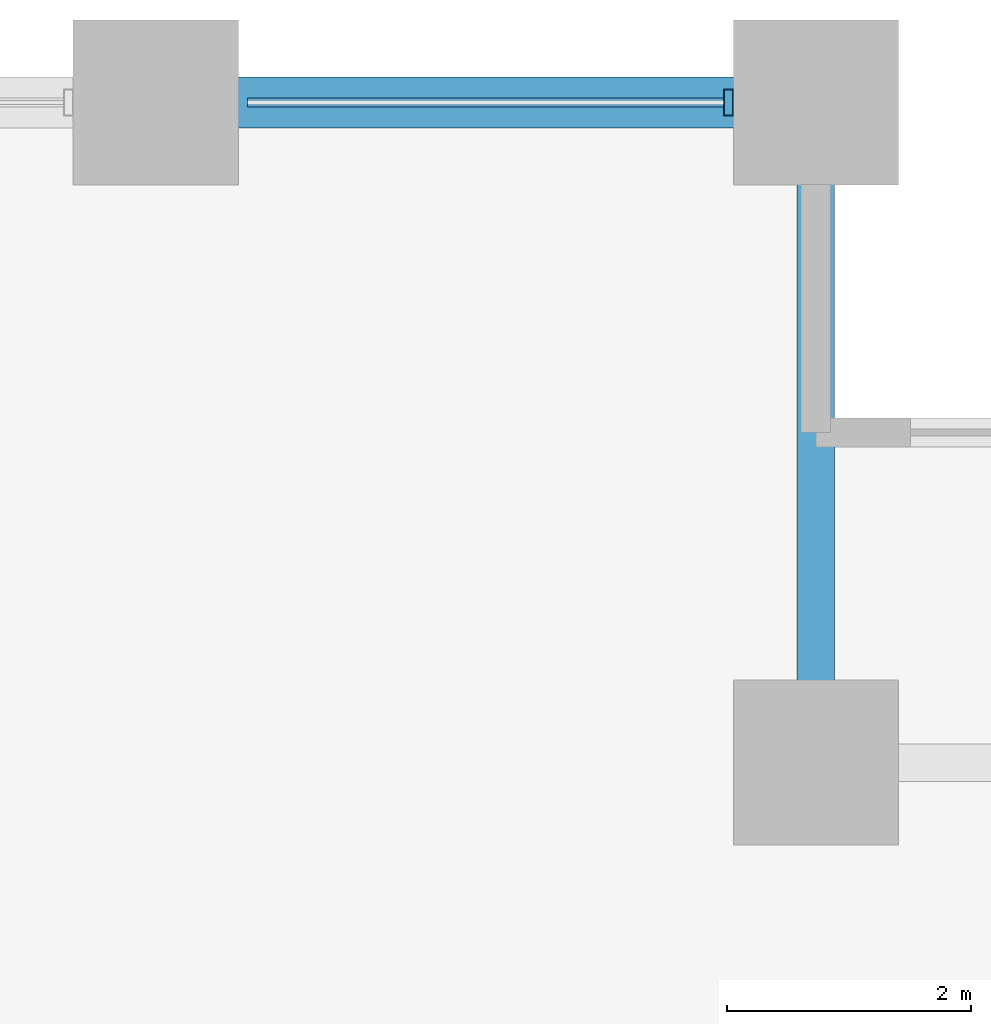
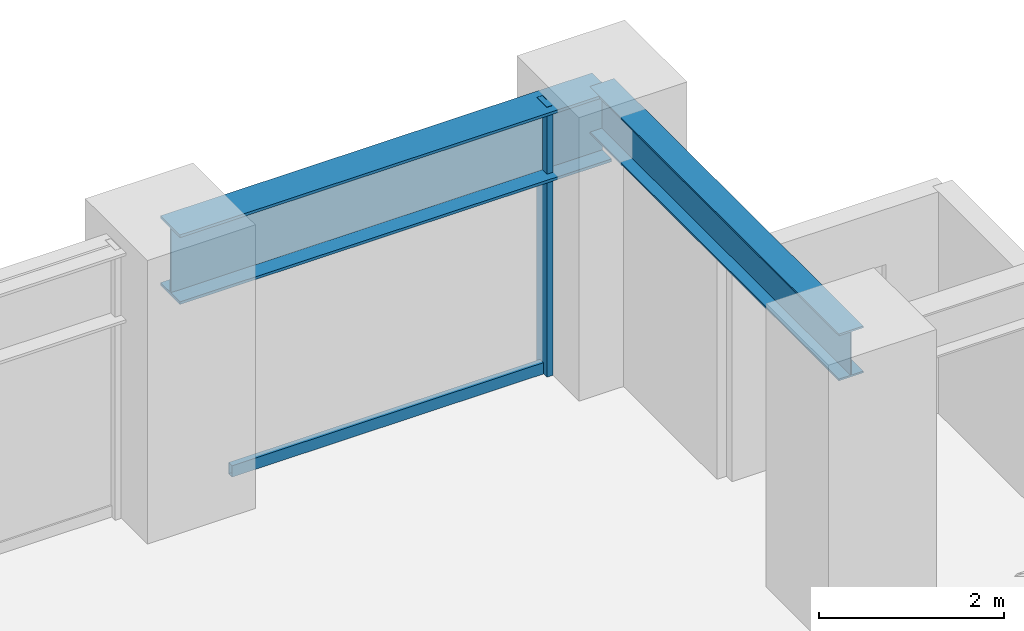
# One storey, part 16 of 25: 2 beams, 2 members, 1 element without a shape of its own.
"""IFC4 building model written with IfcOpenShell, lengths in metres."""

from ifc_helpers import new_model, si_unit, direction, frame, origin, origin_2d, place, context, subcontext, project, spatial, hollow_rectangle, i_section, extrude, material, layer, layer_set, material_profile, profile_set, type_object, element, aggregate, save


model = new_model("IFC4")

# Units and contexts
model_context = context("Model", 3, precision=1e-05, world=origin(), true_north=direction((0.0, 1.0)))
body_context = subcontext(model_context, "Body", "Model", "MODEL_VIEW")
ifc_project = project(units=[si_unit("LENGTHUNIT", "METRE"), si_unit("AREAUNIT", "SQUARE_METRE"), si_unit("VOLUMEUNIT", "CUBIC_METRE"), si_unit("PLANEANGLEUNIT", "RADIAN"), si_unit("MASSUNIT", "GRAM", prefix="KILO")], contexts=[model_context])

# Site, building, storey
site_placement = place(None, origin())
site = spatial("IfcSite", under=ifc_project, at=site_placement, CompositionType="ELEMENT")
building_placement = place(site_placement, origin())
building = spatial("IfcBuilding", under=site, at=building_placement, Name="Surkhivell Harbour Commons", CompositionType="ELEMENT")
storey_placement = place(building_placement, frame((0.0, 0.0, 48.75)))
storey = spatial("IfcBuildingStorey", under=building, at=storey_placement, Name="L12", CompositionType="ELEMENT", Elevation=48.75)

# Beams
ifc_material_1 = material(Name="Steel S355", Category="steel")
ifc_material_profile_1 = material_profile(ifc_material_1, i_section(OverallWidth=0.306884765625, OverallDepth=0.6201171875, WebThickness=0.01416015625, FlangeThickness=0.023681640625, at=origin_2d()), Name="UB610x305x179")
ifc_profile_set_1 = profile_set([ifc_material_profile_1], Name="Steel S355")
beam_type_1 = type_object("IfcBeamType", Name="BM-GRD-610A", PredefinedType="BEAM", material=ifc_profile_set_1)
beam_1_placement = place(storey_placement, frame((27.0, 20.5, 3.260009765625), z_axis=(0.0, 1.0, 0.0), x_axis=(-1.0, 0.0, 0.0)))
element("IfcBeam", 1, at=beam_1_placement, inside=storey, type_object=beam_type_1, Name="L12 Floor Girder (27.0,20.5)", PredefinedType="BEAM", context=body_context, shape_type="SweptSolid", body=[
    extrude(i_section(OverallWidth=0.306884765625, OverallDepth=0.6201171875, WebThickness=0.01416015625, FlangeThickness=0.023681640625, at=origin_2d()), origin(), (0.0, 0.0, 1.0), 5.39990234375),
])
ifc_material_2 = material(Name="Steel S460", Category="steel")
ifc_material_profile_2 = material_profile(ifc_material_2, i_section(OverallWidth=0.419921875, OverallDepth=0.9208984375, WebThickness=0.021484375, FlangeThickness=0.03662109375, at=origin_2d()), Name="UB914x419x388")
ifc_profile_set_2 = profile_set([ifc_material_profile_2], Name="Steel S460")
beam_type_2 = type_object("IfcBeamType", Name="BM-SPN-914A", PredefinedType="SPANDREL", material=ifc_profile_set_2)
beam_2_placement = place(storey_placement, frame((21.60009765625, 25.89990234375, 3.109619140625), z_axis=(1.0, 0.0, 0.0), x_axis=(0.0, 1.0, 0.0)))
element("IfcBeam", 2, at=beam_2_placement, inside=storey, type_object=beam_type_2, Name="L12 Tube Spandrel (21.6,25.9)", PredefinedType="SPANDREL", context=body_context, shape_type="SweptSolid", body=[
    extrude(i_section(OverallWidth=0.419921875, OverallDepth=0.9208984375, WebThickness=0.021484375, FlangeThickness=0.03662109375, at=origin_2d()), origin(), (0.0, 0.0, 1.0), 5.39990234375),
])

# Curtain wall, members
ifc_material_3 = material(Name="Anodised pale-metal aluminium and insulated glazing", Category="aluminium")
ifc_layer = layer(ifc_material_3, 0.219970703125)
ifc_layer_set = layer_set([ifc_layer], Name="Anodised pale-metal aluminium and insulated glazing")
curtain_wall_type = type_object("IfcCurtainWallType", Name="CW-SYS-Z1", PredefinedType="NOTDEFINED", material=ifc_layer_set)
curtain_wall_placement = place(storey_placement, origin())
curtain_wall = element("IfcCurtainWall", 3, at=curtain_wall_placement, inside=storey, type_object=curtain_wall_type, Name="L12 Curtain Wall CW-L12-E07S1", PredefinedType="NOTDEFINED")
ifc_material_4 = material(Name="Anodised pale-metal aluminium alloy 6063-T6", Category="aluminium")
ifc_material_profile_3 = material_profile(ifc_material_4, hollow_rectangle(XDim=0.074951171875, YDim=0.219970703125, WallThickness=0.00390625, at=origin_2d()), Name="ALU-MULL-75x220")
ifc_profile_set_3 = profile_set([ifc_material_profile_3], Name="Anodised pale-metal aluminium alloy 6063-T6")
member_type_1 = type_object("IfcMemberType", Name="CWM-220", PredefinedType="MULLION", material=ifc_profile_set_3)
member_1_placement = place(storey_placement, frame((26.285400390625, 25.89990234375, 0.0), z_axis=(0.0, 0.0, 1.0), x_axis=(-1.0, 0.0, 0.0)))
member_1 = element("IfcMember", 4, at=member_1_placement, type_object=member_type_1, Name="CW-Z1 mullion 1", PredefinedType="MULLION", context=body_context, shape_type="SweptSolid", body=[
    extrude(hollow_rectangle(XDim=0.074951171875, YDim=0.219970703125, WallThickness=0.00390625, at=origin_2d()), origin(), (0.0, 0.0, 1.0), 3.570068359375),
])
ifc_material_profile_4 = material_profile(ifc_material_4, hollow_rectangle(XDim=0.074951171875, YDim=0.14990234375, WallThickness=0.00341796875, at=origin_2d()), Name="ALU-TRAN-75x150")
ifc_profile_set_4 = profile_set([ifc_material_profile_4], Name="Anodised pale-metal aluminium alloy 6063-T6")
member_type_2 = type_object("IfcMemberType", Name="CWT-150", PredefinedType="USERDEFINED", material=ifc_profile_set_4)
member_2_placement = place(storey_placement, frame((26.248046875, 25.89990234375, 0.074951171875), z_axis=(-1.0, 0.0, 0.0), x_axis=(0.0, -1.0, 0.0)))
member_2 = element("IfcMember", 5, at=member_2_placement, type_object=member_type_2, Name="CW-Z1 transom 1.1", ObjectType="TRANSOM", PredefinedType="USERDEFINED", context=body_context, shape_type="SweptSolid", body=[
    extrude(hollow_rectangle(XDim=0.074951171875, YDim=0.14990234375, WallThickness=0.00341796875, at=origin_2d()), origin(), (0.0, 0.0, 1.0), 3.89599609375),
])
aggregate(curtain_wall, [member_1, member_2])

save(model, "model.ifc")
